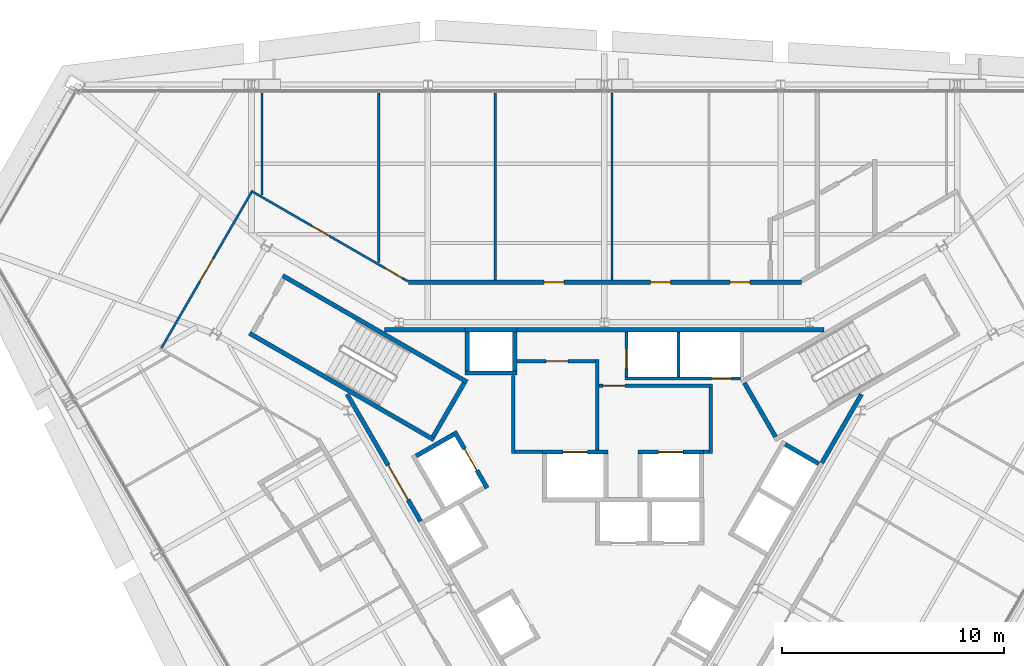
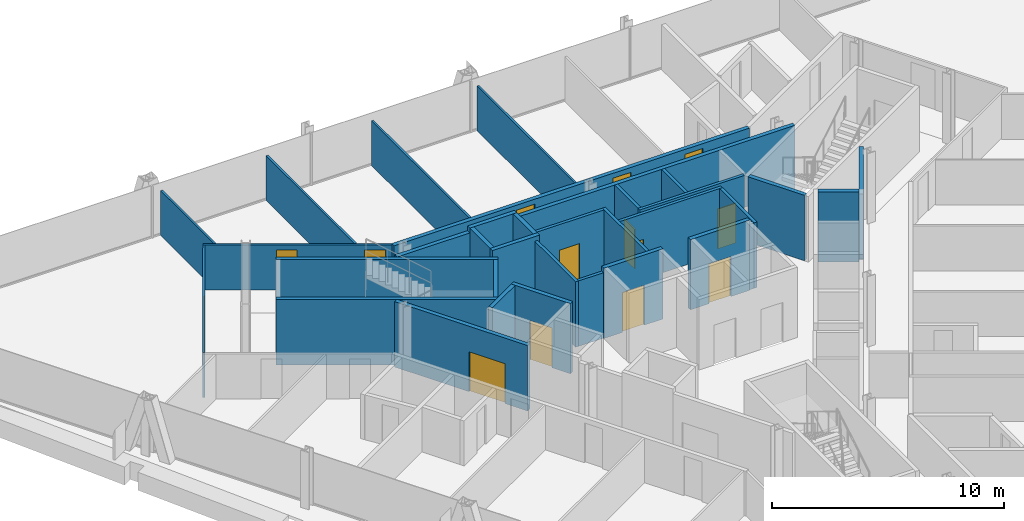
# One storey, part 11 of 14: 34 walls, 14 doors, 14 openings.
"""IFC4 building model written with IfcOpenShell, lengths in metres."""

import ifcopenshell
import ifcopenshell.guid

model = None  # the IFC model being written
_history = None  # IfcOwnerHistory: only IFC2X3 demands one
_inside = {}  # id of a spatial element -> (the spatial element, [elements in it])
_under = {}  # id of a project, library or spatial element -> (it, [spatial elements below it])
_declared = {}  # id of a project -> (the project, [libraries it declares])
_typed = {}  # id of a type object -> (the type object, [elements of that type])
_made_of = {}  # id of a material, layer set ... -> (it, [elements and type objects made of it])


def new_model(schema):
    """Start an empty IFC model of exactly this schema.

    Asked for "IFC4X3", IfcOpenShell would pick the latest addendum, in which some entities
    have other attributes; the version numbers below select the first issue.
    IFC2X3 requires an IfcOwnerHistory on every rooted entity: one is made here for all.
    """
    global model, _history
    if schema == "IFC4X3":
        model = ifcopenshell.file(schema_version=(4, 3, 0, 0))
    else:
        model = ifcopenshell.file(schema=schema)
    _inside.clear()
    _under.clear()
    _declared.clear()
    _typed.clear()
    _made_of.clear()
    _history = None
    if model.schema == "IFC2X3":
        org = make("IfcOrganization", Name="unknown")
        user = make(
            "IfcPersonAndOrganization",
            ThePerson=make("IfcPerson", FamilyName="unknown"),
            TheOrganization=org,
        )
        app = make(
            "IfcApplication",
            ApplicationDeveloper=org,
            Version="unknown",
            ApplicationFullName="unknown",
            ApplicationIdentifier="unknown",
        )
        _history = make(
            "IfcOwnerHistory",
            OwningUser=user,
            OwningApplication=app,
            ChangeAction="ADDED",
            CreationDate=0,
        )
    return model


def make(cls, **values):
    """One entity of the class cls with the attributes given. An attribute that is None is left unset."""
    return model.create_entity(
        cls, **{name: value for name, value in values.items() if value is not None}
    )


def rooted(cls, **values):
    """An entity with a GlobalId (a new one), such as an element, a storey or a relation."""
    return make(cls, GlobalId=ifcopenshell.guid.new(), OwnerHistory=_history, **values)


def si_unit(unit_type, name, prefix=None):
    """IfcSIUnit, for example si_unit("LENGTHUNIT", "METRE", prefix="MILLI")."""
    return make("IfcSIUnit", UnitType=unit_type, Prefix=prefix, Name=name)


def assignment(units):
    """IfcUnitAssignment: the units of a project."""
    return None if units is None else make("IfcUnitAssignment", Units=units)


def point(xyz):
    """IfcCartesianPoint."""
    return None if xyz is None else make("IfcCartesianPoint", Coordinates=xyz)


def direction(xyz):
    """IfcDirection."""
    return None if xyz is None else make("IfcDirection", DirectionRatios=xyz)


def frame(location, z_axis=None, x_axis=None):
    """IfcAxis2Placement3D, a coordinate frame: its origin and axes. An axis left out is left unset."""
    return make(
        "IfcAxis2Placement3D",
        Location=point(location),
        Axis=direction(z_axis),
        RefDirection=direction(x_axis),
    )


def frame_2d(location, x_axis=None):
    """IfcAxis2Placement2D, a coordinate frame in the plane: its origin and x axis."""
    return make(
        "IfcAxis2Placement2D", Location=point(location), RefDirection=direction(x_axis)
    )


def origin():
    """The frame at (0, 0, 0) with its axes left unset."""
    return frame((0.0, 0.0, 0.0))


def place(relative_to, where):
    """IfcLocalPlacement: puts the frame where relative to a parent placement (None: the world)."""
    return make(
        "IfcLocalPlacement", PlacementRelTo=relative_to, RelativePlacement=where
    )


def context(
    kind, dimensions, precision=None, world=None, true_north=None, identifier=None
):
    """IfcGeometricRepresentationContext, for example the 3D "Model" context."""
    return make(
        "IfcGeometricRepresentationContext",
        ContextIdentifier=identifier,
        ContextType=kind,
        CoordinateSpaceDimension=dimensions,
        Precision=precision,
        WorldCoordinateSystem=world,
        TrueNorth=true_north,
    )


def subcontext(parent, identifier, kind, view, scale=None):
    """IfcGeometricRepresentationSubContext, for example "Body" below "Model"."""
    return make(
        "IfcGeometricRepresentationSubContext",
        ContextIdentifier=identifier,
        ContextType=kind,
        ParentContext=parent,
        TargetScale=scale,
        TargetView=view,
    )


def project(units=None, contexts=None):
    """IfcProject with its units and contexts."""
    return rooted(
        "IfcProject",
        Name="project",
        RepresentationContexts=contexts,
        UnitsInContext=assignment(units),
    )


def spatial(cls, under=None, at=None, **own):
    """A site, building, storey or space (cls), placed at a placement, below another one or the project."""
    s = rooted(cls, ObjectPlacement=at, **own)
    if under is not None:
        _under.setdefault(under.id(), (under, []))[1].append(s)
    return s


def profile(cls, at=None, kind="AREA", **sizes):
    """A parametric profile (cls). Its sizes go by their IFC names, for example OverallWidth=200.0."""
    return make(cls, ProfileType=kind, Position=at, **sizes)


def rectangle(**sizes):
    """IfcRectangleProfileDef."""
    return profile("IfcRectangleProfileDef", **sizes)


def extrude(swept, where, along, depth):
    """IfcExtrudedAreaSolid: the profile swept, set in the frame where, extruded along a direction by depth."""
    return make(
        "IfcExtrudedAreaSolid",
        SweptArea=swept,
        Position=where,
        ExtrudedDirection=direction(along),
        Depth=depth,
    )


def shape(context_of_items, identifier, shape_type, items):
    """IfcShapeRepresentation: the items that make up one representation, for example the "Body"."""
    return make(
        "IfcShapeRepresentation",
        ContextOfItems=context_of_items,
        RepresentationIdentifier=identifier,
        RepresentationType=shape_type,
        Items=items,
    )


def material(Name=None, Category=None):
    """IfcMaterial."""
    return make("IfcMaterial", Name=Name, Category=Category)


def layer(
    of_material, thickness, ventilated=None, Name=None, Category=None, Priority=None
):
    """IfcMaterialLayer: one layer of a wall or slab, of a material (None: an air gap)."""
    return make(
        "IfcMaterialLayer",
        Material=of_material,
        LayerThickness=thickness,
        IsVentilated=ventilated,
        Name=Name,
        Category=Category,
        Priority=Priority,
    )


def layer_set(layers, Name=None):
    """IfcMaterialLayerSet."""
    return make("IfcMaterialLayerSet", MaterialLayers=layers, LayerSetName=Name)


def made_of(thing, what):
    """Note that an element or type object is made of a material, layer set ...; save() writes the relation."""
    if what is not None:
        _made_of.setdefault(what.id(), (what, []))[1].append(thing)
    return thing


def type_object(cls, material=None, **own):
    """A type object (cls), such as IfcWallType, which elements share."""
    return made_of(rooted(cls, **own), material)


def element(
    cls,
    number,
    at=None,
    inside=None,
    cuts=None,
    type_object=None,
    material=None,
    context=None,
    identifier="Body",
    shape_type=None,
    held_by="IfcProductDefinitionShape",
    body=None,
    shapes=None,
    **own,
):
    """One element of the class cls, such as IfcWall. Its Tag is "e" and its number.

    at: its placement. inside: the storey or other place that contains it. cuts: it is an
    opening in that element (IfcRelVoidsElement). A single representation is given by context,
    identifier, shape_type and body (its items); several are given by shapes. held_by: the class
    of the entity that holds the representations. save() writes the other relations.
    """
    e = rooted(cls, Tag="e%d" % number, ObjectPlacement=at, **own)
    if body is not None:
        shapes = [shape(context, identifier, shape_type, body)]
    if shapes is not None:
        e.Representation = make(held_by, Representations=shapes)
    if inside is not None:
        _inside.setdefault(inside.id(), (inside, []))[1].append(e)
    if cuts is not None:
        rooted(
            "IfcRelVoidsElement", RelatingBuildingElement=cuts, RelatedOpeningElement=e
        )
    if type_object is not None:
        _typed.setdefault(type_object.id(), (type_object, []))[1].append(e)
    return made_of(e, material)


def fill(opening, filler):
    """IfcRelFillsElement: the door or window that sits in an opening."""
    return rooted(
        "IfcRelFillsElement",
        RelatingOpeningElement=opening,
        RelatedBuildingElement=filler,
    )


def aggregate(whole, parts):
    """IfcRelAggregates: a whole, such as a stair, and the parts it consists of."""
    return rooted("IfcRelAggregates", RelatingObject=whole, RelatedObjects=parts)


def save(model, path):
    """Write the relations noted so far, then the file.

    IfcRelAggregates (storeys below a building ...), IfcRelContainedInSpatialStructure (elements
    in a storey), IfcRelDefinesByType, IfcRelAssociatesMaterial and IfcRelDeclares: one each for
    every whole, place, type object, material and project.
    """
    for whole, parts in _under.values():
        aggregate(whole, parts)
    for where, things in _inside.values():
        rooted(
            "IfcRelContainedInSpatialStructure",
            RelatedElements=things,
            RelatingStructure=where,
        )
    for kind, things in _typed.values():
        rooted("IfcRelDefinesByType", RelatedObjects=things, RelatingType=kind)
    for what, things in _made_of.values():
        rooted("IfcRelAssociatesMaterial", RelatedObjects=things, RelatingMaterial=what)
    for by, libraries in _declared.values():
        rooted("IfcRelDeclares", RelatingContext=by, RelatedDefinitions=libraries)
    model.write(path)


model = new_model("IFC4")

# Units and contexts
model_context = context("Model", 3, precision=1e-05, world=origin(), true_north=direction((0.0, 1.0)))
body_context = subcontext(model_context, "Body", "Model", "MODEL_VIEW")
ifc_project = project(units=[si_unit("LENGTHUNIT", "METRE"), si_unit("AREAUNIT", "SQUARE_METRE"), si_unit("VOLUMEUNIT", "CUBIC_METRE"), si_unit("PLANEANGLEUNIT", "RADIAN"), si_unit("MASSUNIT", "GRAM", prefix="KILO")], contexts=[model_context])

# Site, building, storey
site_placement = place(None, origin())
site = spatial("IfcSite", under=ifc_project, at=site_placement, CompositionType="ELEMENT")
building_placement = place(site_placement, origin())
building = spatial("IfcBuilding", under=site, at=building_placement, Name="Verrane Prism Tower", CompositionType="ELEMENT")
storey_placement = place(building_placement, frame((0.0, 0.0, 196.89990234375)))
storey = spatial("IfcBuildingStorey", under=building, at=storey_placement, Name="L49", CompositionType="ELEMENT", Elevation=196.89990234375)

# Wall, opening, door
ifc_material_1 = material(Name="Gypsum board partition", Category="other")
ifc_layer_1 = layer(ifc_material_1, 0.199951171875)
ifc_layer_set_1 = layer_set([ifc_layer_1], Name="CW-200 core boundary wall 2 h")
wall_type_1 = type_object("IfcWallType", Name="CW-200 core boundary wall 2 h", PredefinedType="PARTITIONING", material=ifc_layer_set_1)
wall_1_placement = place(storey_placement, frame((-11.590576171875, 4.7548828125, 0.0), z_axis=(0.0, 0.0, 1.0), x_axis=(0.500043977787, -0.866000011708, 0.0)))
wall_1 = element("IfcWall", 1, at=wall_1_placement, inside=storey, type_object=wall_type_1, Name="Core boundary wall CW3-001", PredefinedType="PARTITIONING", context=body_context, shape_type="SweptSolid", body=[
    extrude(rectangle(XDim=6.61669921875, YDim=0.199951171875, at=frame_2d((3.308349609375, 0.0))), origin(), (0.0, 0.0, 1.0), 3.4501953125),
])
opening_1_placement = place(wall_1_placement, frame((3.695068359375, 0.0, 0.0)))
opening_1 = element("IfcOpeningElement", 2, at=opening_1_placement, cuts=wall_1, Name="Opening D47510", PredefinedType="OPENING", context=body_context, shape_type="SweptSolid", body=[
    extrude(rectangle(XDim=1.800048828125, YDim=2.10009765625, at=frame_2d((0.89990234375, 1.050048828125))), frame((0.0, 0.10986328125, 0.0), z_axis=(0.0, -1.0, 0.0), x_axis=(1.0, 0.0, 0.0)), (0.0, 0.0, 1.0), 0.219970703125),
])
ifc_material_2 = material(Name="Timber veneered door leaf", Category="wood")
door_type_1 = type_object("IfcDoorType", Name="DR-1800x2100 FD60 double leaf lift lobby", OperationType="NOTDEFINED", PredefinedType="DOOR", material=ifc_material_2)
door_1_placement = place(opening_1_placement, origin())
door_1 = element("IfcDoor", 3, at=door_1_placement, inside=storey, type_object=door_type_1, Name="Lift lobby door D47510", OperationType="DOUBLE_DOOR_SINGLE_SWING", OverallHeight=2.10009765625, OverallWidth=1.800048828125, PredefinedType="DOOR", context=body_context, shape_type="SweptSolid", body=[
    extrude(rectangle(XDim=1.800048828125, YDim=2.10009765625, at=frame_2d((0.89990234375, 1.050048828125))), frame((0.0, 0.02490234375, 0.0), z_axis=(0.0, -1.0, 0.0), x_axis=(1.0, 0.0, 0.0)), (0.0, 0.0, 1.0), 0.050048828125),
])
fill(opening_1, door_1)

# Walls
wall_2_placement = place(storey_placement, frame((-9.907958984375, 7.659912109375, 0.0), z_axis=(0.0, 0.0, 1.0), x_axis=(1.0, 0.0, 0.0)))
element("IfcWall", 4, at=wall_2_placement, inside=storey, type_object=wall_type_1, Name="Core boundary wall CW3-002", PredefinedType="PARTITIONING", context=body_context, shape_type="SweptSolid", body=[
    extrude(rectangle(XDim=3.620849609375, YDim=0.199951171875, at=frame_2d((1.810546875, 0.0))), origin(), (0.0, 0.0, 1.0), 3.4501953125),
])
wall_3_placement = place(storey_placement, frame((-3.93310546875, 7.659912109375, 0.0), z_axis=(0.0, 0.0, 1.0), x_axis=(1.0, 0.0, 0.0)))
element("IfcWall", 5, at=wall_3_placement, inside=storey, type_object=wall_type_1, Name="Core boundary wall CW3-005", PredefinedType="PARTITIONING", context=body_context, shape_type="SweptSolid", body=[
    extrude(rectangle(XDim=13.841064453125, YDim=0.199951171875, at=frame_2d((6.92041015625, 0.0))), origin(), (0.0, 0.0, 1.0), 3.4501953125),
])
wall_4_placement = place(storey_placement, frame((9.802978515625, 1.657958984375, 0.0), z_axis=(0.0, 0.0, 1.0), x_axis=(0.499943114462, 0.866058244174, 0.0)))
element("IfcWall", 6, at=wall_4_placement, inside=storey, type_object=wall_type_1, Name="Core boundary wall CW3-008", PredefinedType="PARTITIONING", context=body_context, shape_type="SweptSolid", body=[
    extrude(rectangle(XDim=3.57568359375, YDim=0.199951171875, at=frame_2d((1.787841796875, 0.0))), origin(), (0.0, 0.0, 1.0), 3.4501953125),
])
ifc_material_3 = material(Name="Concrete C40/50", Category="concrete")
ifc_layer_2 = layer(ifc_material_3, 0.199951171875)
ifc_layer_set_2 = layer_set([ifc_layer_2], Name="CW-200 stair core wall concrete C40/50 3 h")
wall_type_2 = type_object("IfcWallType", Name="CW-200 stair core wall concrete C40/50 3 h", PredefinedType="PARTITIONING", material=ifc_layer_set_2)
wall_5_placement = place(storey_placement, frame((7.71484375, 2.837646484375, 0.0), z_axis=(0.0, 0.0, 1.0), x_axis=(-0.500049511043, 0.865996816683, 0.0)))
element("IfcWall", 7, at=wall_5_placement, inside=storey, type_object=wall_type_2, Name="Stair 1 enclosure wall", PredefinedType="PARTITIONING", context=body_context, shape_type="SweptSolid", body=[
    extrude(rectangle(XDim=2.800048828125, YDim=0.199951171875, at=frame_2d((1.39990234375, 0.0))), origin(), (0.0, 0.0, 1.0), 3.4501953125),
])
for number, where, z_axis, x_axis, name in (
    (8, (-7.67822265625, 2.700927734375, 0.0), (0.0, 0.0, 1.0), (-0.866019993635, 0.500009370536, 0.0), "Stair 2 enclosure wall"),
    (9, (-6.17822265625, 5.299072265625, 0.0), (0.0, 0.0, 1.0), (-0.866019993635, 0.500009370536, 0.0), "Stair 2 enclosure wall"),
):
    element("IfcWall", number, at=place(storey_placement, frame(where, z_axis=z_axis, x_axis=x_axis)), inside=storey, type_object=wall_type_2, Name=name, PredefinedType="PARTITIONING", context=body_context, shape_type="SweptSolid", body=[
        extrude(rectangle(XDim=9.599853515625, YDim=0.199951171875, at=frame_2d((4.7998046875, 0.0))), origin(), (0.0, 0.0, 1.0), 3.4501953125),
    ])
wall_6_placement = place(storey_placement, frame((-6.314697265625, 5.262451171875, 0.0), z_axis=(0.0, 0.0, 1.0), x_axis=(-0.500049511043, -0.865996816683, 0.0)))
element("IfcWall", 10, at=wall_6_placement, inside=storey, type_object=wall_type_2, Name="Stair 2 enclosure wall", PredefinedType="PARTITIONING", context=body_context, shape_type="SweptSolid", body=[
    extrude(rectangle(XDim=2.800048828125, YDim=0.199951171875, at=frame_2d((1.39990234375, 0.0))), origin(), (0.0, 0.0, 1.0), 3.4501953125),
])

# Wall, opening, door
ifc_material_4 = material(Name="Gypsum board shaft wall assembly", Category="other")
ifc_layer_3 = layer(ifc_material_4, 0.199951171875)
ifc_layer_set_3 = layer_set([ifc_layer_3], Name="HW-200 lift shaft wall 2 h")
wall_type_3 = type_object("IfcWallType", Name="HW-200 lift shaft wall 2 h", PredefinedType="PARTITIONING", material=ifc_layer_set_3)
wall_7_placement = place(storey_placement, frame((-2.784912109375, 2.14990234375, 0.0), z_axis=(0.0, 0.0, 1.0), x_axis=(1.0, 0.0, 0.0)))
wall_7 = element("IfcWall", 11, at=wall_7_placement, inside=storey, type_object=wall_type_3, Name="Lift shaft wall", PredefinedType="PARTITIONING", context=body_context, shape_type="SweptSolid", body=[
    extrude(rectangle(XDim=2.949951171875, YDim=0.199951171875, at=frame_2d((1.47509765625, 0.0))), origin(), (0.0, 0.0, 1.0), 3.7001953125),
])
opening_2_placement = place(wall_7_placement, frame((0.925048828125, 0.0, 0.0)))
opening_2 = element("IfcOpeningElement", 12, at=opening_2_placement, cuts=wall_7, Name="Opening D47507", PredefinedType="OPENING", context=body_context, shape_type="SweptSolid", body=[
    extrude(rectangle(XDim=1.10009765625, YDim=2.10009765625, at=frame_2d((0.550048828125, 1.050048828125))), frame((0.0, 0.10986328125, 0.0), z_axis=(0.0, -1.0, 0.0), x_axis=(1.0, 0.0, 0.0)), (0.0, 0.0, 1.0), 0.219970703125),
])
ifc_material_5 = material(Name="Stainless steel sliding landing door", Category="steel")
door_type_2 = type_object("IfcDoorType", Name="LD-1100x2100 lift landing door FD90 sliding", OperationType="NOTDEFINED", PredefinedType="DOOR", material=ifc_material_5)
door_2_placement = place(opening_2_placement, origin())
door_2 = element("IfcDoor", 13, at=door_2_placement, inside=storey, type_object=door_type_2, Name="Fire service lift 1 landing door", OperationType="SLIDING_TO_LEFT", OverallHeight=2.10009765625, OverallWidth=1.10009765625, PredefinedType="DOOR", context=body_context, shape_type="SweptSolid", body=[
    extrude(rectangle(XDim=1.10009765625, YDim=2.10009765625, at=frame_2d((0.550048828125, 1.050048828125))), frame((0.0, 0.02490234375, 0.0), z_axis=(0.0, -1.0, 0.0), x_axis=(1.0, 0.0, 0.0)), (0.0, 0.0, 1.0), 0.050048828125),
])
fill(opening_2, door_2)

wall_8_placement = place(storey_placement, frame((1.52490234375, 2.14990234375, 0.0), z_axis=(0.0, 0.0, 1.0), x_axis=(1.0, 0.0, 0.0)))
wall_8 = element("IfcWall", 14, at=wall_8_placement, inside=storey, type_object=wall_type_3, Name="Lift shaft wall", PredefinedType="PARTITIONING", context=body_context, shape_type="SweptSolid", body=[
    extrude(rectangle(XDim=2.9501953125, YDim=0.199951171875, at=frame_2d((1.47509765625, 0.0))), origin(), (0.0, 0.0, 1.0), 3.7001953125),
])
opening_3_placement = place(wall_8_placement, frame((0.925048828125, 0.0, 0.0)))
opening_3 = element("IfcOpeningElement", 15, at=opening_3_placement, cuts=wall_8, Name="Opening D47508", PredefinedType="OPENING", context=body_context, shape_type="SweptSolid", body=[
    extrude(rectangle(XDim=1.10009765625, YDim=2.10009765625, at=frame_2d((0.550048828125, 1.050048828125))), frame((0.0, 0.10986328125, 0.0), z_axis=(0.0, -1.0, 0.0), x_axis=(1.0, 0.0, 0.0)), (0.0, 0.0, 1.0), 0.219970703125),
])
door_3_placement = place(opening_3_placement, origin())
door_3 = element("IfcDoor", 16, at=door_3_placement, inside=storey, type_object=door_type_2, Name="Fire service lift 2 landing door", OperationType="SLIDING_TO_RIGHT", OverallHeight=2.10009765625, OverallWidth=1.10009765625, PredefinedType="DOOR", context=body_context, shape_type="SweptSolid", body=[
    extrude(rectangle(XDim=1.10009765625, YDim=2.10009765625, at=frame_2d((0.550048828125, 1.050048828125))), frame((0.0, 0.02490234375, 0.0), z_axis=(0.0, -1.0, 0.0), x_axis=(1.0, 0.0, 0.0)), (0.0, 0.0, 1.0), 0.050048828125),
])
fill(opening_3, door_3)

# Walls
for number, where, z_axis, x_axis, name in (
    (17, (-6.284912109375, 5.7099609375, 0.0), (0.0, 0.0, 1.0), (1.0, 0.0, 0.0), "Lift shaft wall"),
    (18, (-6.284912109375, 7.659912109375, 0.0), (0.0, 0.0, 1.0), (1.0, 0.0, 0.0), "Lift shaft wall"),
):
    element("IfcWall", number, at=place(storey_placement, frame(where, z_axis=z_axis, x_axis=x_axis)), inside=storey, type_object=wall_type_3, Name=name, PredefinedType="PARTITIONING", context=body_context, shape_type="SweptSolid", body=[
        extrude(rectangle(XDim=2.349853515625, YDim=0.199951171875, at=frame_2d((1.1748046875, 0.0))), origin(), (0.0, 0.0, 1.0), 3.7001953125),
    ])
wall_9_placement = place(storey_placement, frame((-8.48046875, 1.968505859375, 0.0), z_axis=(0.0, 0.0, 1.0), x_axis=(0.866000020948, 0.500043961785, 0.0)))
element("IfcWall", 19, at=wall_9_placement, inside=storey, type_object=wall_type_3, Name="Lift shaft wall", PredefinedType="PARTITIONING", context=body_context, shape_type="SweptSolid", body=[
    extrude(rectangle(XDim=1.949951171875, YDim=0.199951171875, at=frame_2d((0.97509765625, 0.0))), origin(), (0.0, 0.0, 1.0), 3.7001953125),
])
for number, where, z_axis, x_axis, name in (
    (20, (-4.034912109375, 5.81005859375, 0.0), (0.0, 0.0, 1.0), (0.0, 1.0, 0.0), "Lift shaft wall"),
    (21, (-6.18505859375, 5.81005859375, 0.0), (0.0, 0.0, 1.0), (0.0, 1.0, 0.0), "Lift shaft wall"),
):
    element("IfcWall", number, at=place(storey_placement, frame(where, z_axis=z_axis, x_axis=x_axis)), inside=storey, type_object=wall_type_3, Name=name, PredefinedType="PARTITIONING", context=body_context, shape_type="SweptSolid", body=[
        extrude(rectangle(XDim=1.75, YDim=0.199951171875, at=frame_2d((0.875, 0.0))), origin(), (0.0, 0.0, 1.0), 3.7001953125),
    ])

# Wall, opening, door
wall_10_placement = place(storey_placement, frame((-5.280029296875, 0.525390625, 0.0), z_axis=(0.0, 0.0, 1.0), x_axis=(-0.500037662692, 0.866003658127, 0.0)))
wall_10 = element("IfcWall", 22, at=wall_10_placement, inside=storey, type_object=wall_type_3, Name="Lift shaft wall", PredefinedType="PARTITIONING", context=body_context, shape_type="SweptSolid", body=[
    extrude(rectangle(XDim=2.949951171875, YDim=0.199951171875, at=frame_2d((1.47509765625, 0.0))), origin(), (0.0, 0.0, 1.0), 3.7001953125),
])
opening_4_placement = place(wall_10_placement, frame((0.925048828125, 0.0, 0.0)))
opening_4 = element("IfcOpeningElement", 23, at=opening_4_placement, cuts=wall_10, Name="Opening D47509", PredefinedType="OPENING", context=body_context, shape_type="SweptSolid", body=[
    extrude(rectangle(XDim=1.10009765625, YDim=2.10009765625, at=frame_2d((0.550048828125, 1.050048828125))), frame((0.0, 0.10986328125, 0.0), z_axis=(0.0, -1.0, 0.0), x_axis=(1.0, 0.0, 0.0)), (0.0, 0.0, 1.0), 0.219970703125),
])
door_4_placement = place(opening_4_placement, origin())
door_4 = element("IfcDoor", 24, at=door_4_placement, inside=storey, type_object=door_type_2, Name="Service lift 1 landing door", OperationType="SLIDING_TO_LEFT", OverallHeight=2.10009765625, OverallWidth=1.10009765625, PredefinedType="DOOR", context=body_context, shape_type="SweptSolid", body=[
    extrude(rectangle(XDim=1.10009765625, YDim=2.10009765625, at=frame_2d((0.550048828125, 1.050048828125))), frame((0.0, 0.02490234375, 0.0), z_axis=(0.0, -1.0, 0.0), x_axis=(1.0, 0.0, 0.0)), (0.0, 0.0, 1.0), 0.050048828125),
])
fill(opening_4, door_4)

# Walls
wall_11_placement = place(storey_placement, frame((9.66455078125, 1.61962890625, 0.0), z_axis=(0.0, 0.0, 1.0), x_axis=(-0.866002029911, 0.500040482552, 0.0)))
element("IfcWall", 25, at=wall_11_placement, inside=storey, type_object=wall_type_3, Name="Lift shaft wall", PredefinedType="PARTITIONING", context=body_context, shape_type="SweptSolid", body=[
    extrude(rectangle(XDim=1.749755859375, YDim=0.199951171875, at=frame_2d((0.875, 0.0))), origin(), (0.0, 0.0, 1.0), 3.7001953125),
])
ifc_material_6 = material(Name="Gypsum board partition", Category="other")
ifc_layer_4 = layer(ifc_material_6, 0.14990234375)
ifc_layer_set_4 = layer_set([ifc_layer_4], Name="LF-150 firefighting lobby wall 1 h")
wall_type_4 = type_object("IfcWallType", Name="LF-150 firefighting lobby wall 1 h", PredefinedType="PARTITIONING", material=ifc_layer_set_4)
wall_12_placement = place(storey_placement, frame((-4.10009765625, 2.0849609375, 0.0), z_axis=(0.0, 0.0, 1.0), x_axis=(0.0, 1.0, 0.0)))
element("IfcWall", 26, at=wall_12_placement, inside=storey, type_object=wall_type_4, Name="Firefighting lobby wall LF1-001", PredefinedType="PARTITIONING", context=body_context, shape_type="SweptSolid", body=[
    extrude(rectangle(XDim=3.52294921875, YDim=0.14990234375, at=frame_2d((1.761474609375, 0.0))), origin(), (0.0, 0.0, 1.0), 3.4501953125),
])
wall_13_placement = place(storey_placement, frame((-4.02490234375, 2.159912109375, 0.0), z_axis=(0.0, 0.0, 1.0), x_axis=(1.0, 0.0, 0.0)))
element("IfcWall", 27, at=wall_13_placement, inside=storey, type_object=wall_type_4, Name="Firefighting lobby wall LF1-002", PredefinedType="PARTITIONING", context=body_context, shape_type="SweptSolid", body=[
    extrude(rectangle(XDim=1.23779296875, YDim=0.14990234375, at=frame_2d((0.618896484375, 0.0))), origin(), (0.0, 0.0, 1.0), 3.4501953125),
])

# Wall, opening, door
wall_14_placement = place(storey_placement, frame((-3.93310546875, 6.239990234375, 0.0), z_axis=(0.0, 0.0, 1.0), x_axis=(1.0, 0.0, 0.0)))
wall_14 = element("IfcWall", 28, at=wall_14_placement, inside=storey, type_object=wall_type_4, Name="Firefighting lobby wall LF1-003", PredefinedType="PARTITIONING", context=body_context, shape_type="SweptSolid", body=[
    extrude(rectangle(XDim=3.5380859375, YDim=0.14990234375, at=frame_2d((1.76904296875, 0.0))), origin(), (0.0, 0.0, 1.0), 3.4501953125),
])
opening_5_placement = place(wall_14_placement, frame((1.300048828125, 0.0, 0.0)))
opening_5 = element("IfcOpeningElement", 29, at=opening_5_placement, cuts=wall_14, Name="Opening D47512", PredefinedType="OPENING", context=body_context, shape_type="SweptSolid", body=[
    extrude(rectangle(XDim=1.0, YDim=2.10009765625, at=frame_2d((0.5, 1.050048828125))), frame((0.0, 0.0849609375, 0.0), z_axis=(0.0, -1.0, 0.0), x_axis=(1.0, 0.0, 0.0)), (0.0, 0.0, 1.0), 0.169921875),
])
ifc_material_7 = material(Name="Timber veneered door leaf", Category="wood")
door_type_3 = type_object("IfcDoorType", Name="DR-1000x2100 FD60 single leaf firefighting lobby", OperationType="NOTDEFINED", PredefinedType="DOOR", material=ifc_material_7)
door_5_placement = place(opening_5_placement, origin())
door_5 = element("IfcDoor", 30, at=door_5_placement, inside=storey, type_object=door_type_3, Name="Firefighting lobby door D47512", OperationType="SINGLE_SWING_LEFT", OverallHeight=2.10009765625, OverallWidth=1.0, PredefinedType="DOOR", context=body_context, shape_type="SweptSolid", body=[
    extrude(rectangle(XDim=1.0, YDim=2.10009765625, at=frame_2d((0.5, 1.050048828125))), frame((0.0, 0.02490234375, 0.0), z_axis=(0.0, -1.0, 0.0), x_axis=(1.0, 0.0, 0.0)), (0.0, 0.0, 1.0), 0.050048828125),
])
fill(opening_5, door_5)

# Wall
wall_15_placement = place(storey_placement, frame((-0.320068359375, 2.251953125, 0.0), z_axis=(0.0, 0.0, 1.0), x_axis=(0.0, 1.0, 0.0)))
element("IfcWall", 31, at=wall_15_placement, inside=storey, type_object=wall_type_4, Name="Firefighting lobby wall LF1-004", PredefinedType="PARTITIONING", context=body_context, shape_type="SweptSolid", body=[
    extrude(rectangle(XDim=4.06298828125, YDim=0.14990234375, at=frame_2d((2.031494140625, 0.0))), origin(), (0.0, 0.0, 1.0), 3.4501953125),
])

# Wall, opening, door
wall_16_placement = place(storey_placement, frame((-0.2451171875, 5.139892578125, 0.0), z_axis=(0.0, 0.0, 1.0), x_axis=(1.0, 0.0, 0.0)))
wall_16 = element("IfcWall", 32, at=wall_16_placement, inside=storey, type_object=wall_type_4, Name="Firefighting lobby wall LF1-005", PredefinedType="PARTITIONING", context=body_context, shape_type="SweptSolid", body=[
    extrude(rectangle(XDim=5.110107421875, YDim=0.14990234375, at=frame_2d((2.55517578125, 0.0))), origin(), (0.0, 0.0, 1.0), 3.4501953125),
])
opening_6_placement = place(wall_16_placement, frame((0.175048828125, 0.0, 0.0)))
opening_6 = element("IfcOpeningElement", 33, at=opening_6_placement, cuts=wall_16, Name="Opening D47513", PredefinedType="OPENING", context=body_context, shape_type="SweptSolid", body=[
    extrude(rectangle(XDim=1.0, YDim=2.10009765625, at=frame_2d((0.5, 1.050048828125))), frame((0.0, 0.0849609375, 0.0), z_axis=(0.0, -1.0, 0.0), x_axis=(1.0, 0.0, 0.0)), (0.0, 0.0, 1.0), 0.169921875),
])
door_6_placement = place(opening_6_placement, origin())
door_6 = element("IfcDoor", 34, at=door_6_placement, inside=storey, type_object=door_type_3, Name="Firefighting lobby door D47513", OperationType="SINGLE_SWING_LEFT", OverallHeight=2.10009765625, OverallWidth=1.0, PredefinedType="DOOR", context=body_context, shape_type="SweptSolid", body=[
    extrude(rectangle(XDim=1.0, YDim=2.10009765625, at=frame_2d((0.5, 1.050048828125))), frame((0.0, 0.02490234375, 0.0), z_axis=(0.0, -1.0, 0.0), x_axis=(1.0, 0.0, 0.0)), (0.0, 0.0, 1.0), 0.050048828125),
])
fill(opening_6, door_6)

# Walls
wall_17_placement = place(storey_placement, frame((4.47705078125, 2.159912109375, 0.0), z_axis=(0.0, 0.0, 1.0), x_axis=(1.0, 0.0, 0.0)))
element("IfcWall", 35, at=wall_17_placement, inside=storey, type_object=wall_type_4, Name="Firefighting lobby wall LF1-006", PredefinedType="PARTITIONING", context=body_context, shape_type="SweptSolid", body=[
    extrude(rectangle(XDim=0.238037109375, YDim=0.14990234375, at=frame_2d((0.119140625, 0.0))), origin(), (0.0, 0.0, 1.0), 3.4501953125),
])
wall_18_placement = place(storey_placement, frame((4.7900390625, 2.0849609375, 0.0), z_axis=(0.0, 0.0, 1.0), x_axis=(0.0, 1.0, 0.0)))
element("IfcWall", 36, at=wall_18_placement, inside=storey, type_object=wall_type_4, Name="Firefighting lobby wall LF1-007", PredefinedType="PARTITIONING", context=body_context, shape_type="SweptSolid", body=[
    extrude(rectangle(XDim=2.97998046875, YDim=0.14990234375, at=frame_2d((1.489990234375, 0.0))), origin(), (0.0, 0.0, 1.0), 3.4501953125),
])

# Wall, opening, door
ifc_material_8 = material(Name="Gypsum board partition", Category="other")
ifc_layer_5 = layer(ifc_material_8, 0.10009765625)
ifc_layer_set_5 = layer_set([ifc_layer_5], Name="PW-100 room partition")
wall_type_5 = type_object("IfcWallType", Name="PW-100 room partition", PredefinedType="PARTITIONING", material=ifc_layer_set_5)
wall_19_placement = place(storey_placement, frame((-19.955078125, 6.84423828125, 0.0), z_axis=(0.0, 0.0, 1.0), x_axis=(0.500415732313, 0.865785247537, 0.0)))
wall_19 = element("IfcWall", 37, at=wall_19_placement, inside=storey, type_object=wall_type_5, Name="Room partition 003", PredefinedType="PARTITIONING", context=body_context, shape_type="SweptSolid", body=[
    extrude(rectangle(XDim=8.09716796875, YDim=0.10009765625, at=frame_2d((4.048583984375, 0.0))), origin(), (0.0, 0.0, 1.0), 2.362060546875),
])
opening_7_placement = place(wall_19_placement, frame((3.449951171875, 0.0, 0.0)))
opening_7 = element("IfcOpeningElement", 38, at=opening_7_placement, cuts=wall_19, Name="Opening D47018", PredefinedType="OPENING", context=body_context, shape_type="SweptSolid", body=[
    extrude(rectangle(XDim=1.199951171875, YDim=2.10009765625, at=frame_2d((0.60009765625, 1.050048828125))), frame((0.0, 0.06005859375, 0.0), z_axis=(0.0, -1.0, 0.0), x_axis=(1.0, 0.0, 0.0)), (0.0, 0.0, 1.0), 0.1201171875),
])
ifc_material_9 = material(Name="Timber veneered door leaf", Category="wood")
door_type_4 = type_object("IfcDoorType", Name="DR-1200x2100 single leaf unit", OperationType="NOTDEFINED", PredefinedType="DOOR", material=ifc_material_9)
door_7_placement = place(opening_7_placement, origin())
door_7 = element("IfcDoor", 39, at=door_7_placement, inside=storey, type_object=door_type_4, Name="Living And Dining Room door", OperationType="SINGLE_SWING_RIGHT", OverallHeight=2.10009765625, OverallWidth=1.199951171875, PredefinedType="DOOR", context=body_context, shape_type="SweptSolid", body=[
    extrude(rectangle(XDim=1.199951171875, YDim=2.10009765625, at=frame_2d((0.60009765625, 1.050048828125))), frame((0.0, 0.02490234375, 0.0), z_axis=(0.0, -1.0, 0.0), x_axis=(1.0, 0.0, 0.0)), (0.0, 0.0, 1.0), 0.050048828125),
])
fill(opening_7, door_7)

# Wall, openings, doors
wall_20_placement = place(storey_placement, frame((-15.92138671875, 13.923095703125, 0.0), z_axis=(0.0, 0.0, 1.0), x_axis=(0.866088973199, -0.499889878377, 0.0)))
wall_20 = element("IfcWall", 40, at=wall_20_placement, inside=storey, type_object=wall_type_5, Name="Room partition 007", PredefinedType="PARTITIONING", context=body_context, shape_type="SweptSolid", body=[
    extrude(rectangle(XDim=8.162841796875, YDim=0.10009765625, at=frame_2d((4.08154296875, 0.0))), origin(), (0.0, 0.0, 1.0), 2.362060546875),
])
opening_8_placement = place(wall_20_placement, frame((6.989990234375, 0.0, 0.0)))
opening_8 = element("IfcOpeningElement", 41, at=opening_8_placement, cuts=wall_20, Name="Opening D47016", PredefinedType="OPENING", context=body_context, shape_type="SweptSolid", body=[
    extrude(rectangle(XDim=0.89990234375, YDim=2.10009765625, at=frame_2d((0.449951171875, 1.050048828125))), frame((0.0, 0.06005859375, 0.0), z_axis=(0.0, -1.0, 0.0), x_axis=(1.0, 0.0, 0.0)), (0.0, 0.0, 1.0), 0.1201171875),
])
opening_9_placement = place(wall_20_placement, frame((3.172119140625, 0.0, 0.0)))
opening_9 = element("IfcOpeningElement", 42, at=opening_9_placement, cuts=wall_20, Name="Opening D47017", PredefinedType="OPENING", context=body_context, shape_type="SweptSolid", body=[
    extrude(rectangle(XDim=0.89990234375, YDim=2.10009765625, at=frame_2d((0.449951171875, 1.050048828125))), frame((0.0, 0.06005859375, 0.0), z_axis=(0.0, -1.0, 0.0), x_axis=(1.0, 0.0, 0.0)), (0.0, 0.0, 1.0), 0.1201171875),
])
ifc_material_10 = material(Name="Timber veneered door leaf", Category="wood")
door_type_5 = type_object("IfcDoorType", Name="DR-900x2100 single leaf unit", OperationType="NOTDEFINED", PredefinedType="DOOR", material=ifc_material_10)
door_8_placement = place(opening_8_placement, origin())
door_8 = element("IfcDoor", 43, at=door_8_placement, inside=storey, type_object=door_type_5, Name="Study door", OperationType="SINGLE_SWING_RIGHT", OverallHeight=2.10009765625, OverallWidth=0.89990234375, PredefinedType="DOOR", context=body_context, shape_type="SweptSolid", body=[
    extrude(rectangle(XDim=0.89990234375, YDim=2.10009765625, at=frame_2d((0.449951171875, 1.050048828125))), frame((0.0, 0.02490234375, 0.0), z_axis=(0.0, -1.0, 0.0), x_axis=(1.0, 0.0, 0.0)), (0.0, 0.0, 1.0), 0.050048828125),
])
fill(opening_8, door_8)
door_9_placement = place(opening_9_placement, origin())
door_9 = element("IfcDoor", 44, at=door_9_placement, inside=storey, type_object=door_type_5, Name="Study door", OperationType="SINGLE_SWING_LEFT", OverallHeight=2.10009765625, OverallWidth=0.89990234375, PredefinedType="DOOR", context=body_context, shape_type="SweptSolid", body=[
    extrude(rectangle(XDim=0.89990234375, YDim=2.10009765625, at=frame_2d((0.449951171875, 1.050048828125))), frame((0.0, 0.02490234375, 0.0), z_axis=(0.0, -1.0, 0.0), x_axis=(1.0, 0.0, 0.0)), (0.0, 0.0, 1.0), 0.050048828125),
])
fill(opening_9, door_9)

# Walls
wall_21_placement = place(storey_placement, frame((-15.426025390625, 13.7236328125, 0.0), z_axis=(0.0, 0.0, 1.0), x_axis=(0.0, 1.0, 0.0)))
element("IfcWall", 45, at=wall_21_placement, inside=storey, type_object=wall_type_5, Name="Room partition 010", PredefinedType="PARTITIONING", context=body_context, shape_type="SweptSolid", body=[
    extrude(rectangle(XDim=4.611328125, YDim=0.10009765625, at=frame_2d((2.3056640625, 0.0))), origin(), (0.0, 0.0, 1.0), 2.362060546875),
])
wall_22_placement = place(storey_placement, frame((-10.169921875, 10.690673828125, 0.0), z_axis=(0.0, 0.0, 1.0), x_axis=(0.0, 1.0, 0.0)))
element("IfcWall", 46, at=wall_22_placement, inside=storey, type_object=wall_type_5, Name="Room partition 016", PredefinedType="PARTITIONING", context=body_context, shape_type="SweptSolid", body=[
    extrude(rectangle(XDim=7.644287109375, YDim=0.10009765625, at=frame_2d((3.822265625, 0.0))), origin(), (0.0, 0.0, 1.0), 2.362060546875),
])
for number, where, z_axis, x_axis, name in (
    (47, (-4.9150390625, 9.89990234375, 0.0), (0.0, 0.0, 1.0), (0.0, 1.0, 0.0), "Room partition 020"),
    (48, (0.341064453125, 9.89990234375, 0.0), (0.0, 0.0, 1.0), (0.0, 1.0, 0.0), "Room partition 026"),
):
    element("IfcWall", number, at=place(storey_placement, frame(where, z_axis=z_axis, x_axis=x_axis)), inside=storey, type_object=wall_type_5, Name=name, PredefinedType="PARTITIONING", context=body_context, shape_type="SweptSolid", body=[
        extrude(rectangle(XDim=8.43505859375, YDim=0.10009765625, at=frame_2d((4.217529296875, 0.0))), origin(), (0.0, 0.0, 1.0), 2.362060546875),
    ])

# Wall, openings, doors
ifc_material_11 = material(Name="Gypsum board partition", Category="other")
ifc_layer_6 = layer(ifc_material_11, 0.199951171875)
ifc_layer_set_6 = layer_set([ifc_layer_6], Name="PW-200 plumbing wall")
wall_type_6 = type_object("IfcWallType", Name="PW-200 plumbing wall", PredefinedType="PARTITIONING", material=ifc_layer_set_6)
wall_23_placement = place(storey_placement, frame((-8.827880859375, 9.800048828125, 0.0), z_axis=(0.0, 0.0, 1.0), x_axis=(1.0, 0.0, 0.0)))
wall_23 = element("IfcWall", 49, at=wall_23_placement, inside=storey, type_object=wall_type_6, Name="Plumbing wall 018", PredefinedType="PARTITIONING", context=body_context, shape_type="SweptSolid", body=[
    extrude(rectangle(XDim=17.705810546875, YDim=0.199951171875, at=frame_2d((8.85302734375, 0.0))), origin(), (0.0, 0.0, 1.0), 2.362060546875),
])
opening_10_placement = place(wall_23_placement, frame((14.498046875, 0.0, 0.0)))
opening_10 = element("IfcOpeningElement", 50, at=opening_10_placement, cuts=wall_23, Name="Opening D47012", PredefinedType="OPENING", context=body_context, shape_type="SweptSolid", body=[
    extrude(rectangle(XDim=0.89990234375, YDim=2.10009765625, at=frame_2d((0.449951171875, 1.050048828125))), frame((0.0, 0.10986328125, 0.0), z_axis=(0.0, -1.0, 0.0), x_axis=(1.0, 0.0, 0.0)), (0.0, 0.0, 1.0), 0.219970703125),
])
opening_11_placement = place(wall_23_placement, frame((10.9189453125, 0.0, 0.0)))
opening_11 = element("IfcOpeningElement", 51, at=opening_11_placement, cuts=wall_23, Name="Opening D47014", PredefinedType="OPENING", context=body_context, shape_type="SweptSolid", body=[
    extrude(rectangle(XDim=0.89990234375, YDim=2.10009765625, at=frame_2d((0.449951171875, 1.050048828125))), frame((0.0, 0.10986328125, 0.0), z_axis=(0.0, -1.0, 0.0), x_axis=(1.0, 0.0, 0.0)), (0.0, 0.0, 1.0), 0.219970703125),
])
opening_12_placement = place(wall_23_placement, frame((6.113037109375, 0.0, 0.0)))
opening_12 = element("IfcOpeningElement", 52, at=opening_12_placement, cuts=wall_23, Name="Opening D47015", PredefinedType="OPENING", context=body_context, shape_type="SweptSolid", body=[
    extrude(rectangle(XDim=0.89990234375, YDim=2.10009765625, at=frame_2d((0.449951171875, 1.050048828125))), frame((0.0, 0.10986328125, 0.0), z_axis=(0.0, -1.0, 0.0), x_axis=(1.0, 0.0, 0.0)), (0.0, 0.0, 1.0), 0.219970703125),
])
ifc_material_12 = material(Name="Timber veneered door leaf", Category="wood")
door_type_6 = type_object("IfcDoorType", Name="DR-900x2100 single leaf inner", OperationType="NOTDEFINED", PredefinedType="DOOR", material=ifc_material_12)
door_10_placement = place(opening_10_placement, origin())
door_10 = element("IfcDoor", 53, at=door_10_placement, inside=storey, type_object=door_type_6, Name="Bedroom door", OperationType="SINGLE_SWING_RIGHT", OverallHeight=2.10009765625, OverallWidth=0.89990234375, PredefinedType="DOOR", context=body_context, shape_type="SweptSolid", body=[
    extrude(rectangle(XDim=0.89990234375, YDim=2.10009765625, at=frame_2d((0.449951171875, 1.050048828125))), frame((0.0, 0.02490234375, 0.0), z_axis=(0.0, -1.0, 0.0), x_axis=(1.0, 0.0, 0.0)), (0.0, 0.0, 1.0), 0.050048828125),
])
fill(opening_10, door_10)
door_11_placement = place(opening_11_placement, origin())
door_11 = element("IfcDoor", 54, at=door_11_placement, inside=storey, type_object=door_type_5, Name="Kitchen door", OperationType="SINGLE_SWING_RIGHT", OverallHeight=2.10009765625, OverallWidth=0.89990234375, PredefinedType="DOOR", context=body_context, shape_type="SweptSolid", body=[
    extrude(rectangle(XDim=0.89990234375, YDim=2.10009765625, at=frame_2d((0.449951171875, 1.050048828125))), frame((0.0, 0.02490234375, 0.0), z_axis=(0.0, -1.0, 0.0), x_axis=(1.0, 0.0, 0.0)), (0.0, 0.0, 1.0), 0.050048828125),
])
fill(opening_11, door_11)
door_12_placement = place(opening_12_placement, origin())
door_12 = element("IfcDoor", 55, at=door_12_placement, inside=storey, type_object=door_type_5, Name="Study door", OperationType="SINGLE_SWING_LEFT", OverallHeight=2.10009765625, OverallWidth=0.89990234375, PredefinedType="DOOR", context=body_context, shape_type="SweptSolid", body=[
    extrude(rectangle(XDim=0.89990234375, YDim=2.10009765625, at=frame_2d((0.449951171875, 1.050048828125))), frame((0.0, 0.02490234375, 0.0), z_axis=(0.0, -1.0, 0.0), x_axis=(1.0, 0.0, 0.0)), (0.0, 0.0, 1.0), 0.050048828125),
])
fill(opening_12, door_12)

# Wall, opening, door
ifc_material_13 = material(Name="Gypsum board partition", Category="other")
ifc_layer_7 = layer(ifc_material_13, 0.14990234375)
ifc_layer_set_7 = layer_set([ifc_layer_7], Name="RS-150 riser enclosure wall 1 h")
wall_type_7 = type_object("IfcWallType", Name="RS-150 riser enclosure wall 1 h", PredefinedType="PARTITIONING", material=ifc_layer_set_7)
wall_24_placement = place(storey_placement, frame((1.0, 7.56005859375, 0.0), z_axis=(0.0, 0.0, 1.0), x_axis=(0.0, -1.0, 0.0)))
wall_24 = element("IfcWall", 56, at=wall_24_placement, inside=storey, type_object=wall_type_7, Name="Riser wall RS3-001", PredefinedType="PARTITIONING", context=body_context, shape_type="SweptSolid", body=[
    extrude(rectangle(XDim=2.025146484375, YDim=0.14990234375, at=frame_2d((1.0126953125, 0.0))), origin(), (0.0, 0.0, 1.0), 3.4501953125),
])
opening_13_placement = place(wall_24_placement, frame((0.75, 0.0, 0.0)))
opening_13 = element("IfcOpeningElement", 57, at=opening_13_placement, cuts=wall_24, Name="Opening D47514", PredefinedType="OPENING", context=body_context, shape_type="SweptSolid", body=[
    extrude(rectangle(XDim=0.89990234375, YDim=2.10009765625, at=frame_2d((0.449951171875, 1.050048828125))), frame((0.0, 0.0849609375, 0.0), z_axis=(0.0, -1.0, 0.0), x_axis=(1.0, 0.0, 0.0)), (0.0, 0.0, 1.0), 0.169921875),
])
ifc_material_14 = material(Name="Timber veneered door leaf", Category="wood")
door_type_7 = type_object("IfcDoorType", Name="DR-900x2100 FD60 single leaf riser", OperationType="NOTDEFINED", PredefinedType="DOOR", material=ifc_material_14)
door_13_placement = place(opening_13_placement, origin())
door_13 = element("IfcDoor", 58, at=door_13_placement, inside=storey, type_object=door_type_7, Name="Riser door D47514", OperationType="SINGLE_SWING_RIGHT", OverallHeight=2.10009765625, OverallWidth=0.89990234375, PredefinedType="DOOR", context=body_context, shape_type="SweptSolid", body=[
    extrude(rectangle(XDim=0.89990234375, YDim=2.10009765625, at=frame_2d((0.449951171875, 1.050048828125))), frame((0.0, 0.02490234375, 0.0), z_axis=(0.0, -1.0, 0.0), x_axis=(1.0, 0.0, 0.0)), (0.0, 0.0, 1.0), 0.050048828125),
])
fill(opening_13, door_13)

wall_25_placement = place(storey_placement, frame((0.925048828125, 5.4599609375, 0.0), z_axis=(0.0, 0.0, 1.0), x_axis=(1.0, 0.0, 0.0)))
wall_25 = element("IfcWall", 59, at=wall_25_placement, inside=storey, type_object=wall_type_7, Name="Riser wall RS3-002", PredefinedType="PARTITIONING", context=body_context, shape_type="SweptSolid", body=[
    extrude(rectangle(XDim=5.219970703125, YDim=0.14990234375, at=frame_2d((2.60986328125, 0.0))), origin(), (0.0, 0.0, 1.0), 3.4501953125),
])
opening_14_placement = place(wall_25_placement, frame((3.9150390625, 0.0, 0.0)))
opening_14 = element("IfcOpeningElement", 60, at=opening_14_placement, cuts=wall_25, Name="Opening D47515", PredefinedType="OPENING", context=body_context, shape_type="SweptSolid", body=[
    extrude(rectangle(XDim=0.89990234375, YDim=2.10009765625, at=frame_2d((0.449951171875, 1.050048828125))), frame((0.0, 0.0849609375, 0.0), z_axis=(0.0, -1.0, 0.0), x_axis=(1.0, 0.0, 0.0)), (0.0, 0.0, 1.0), 0.169921875),
])
door_14_placement = place(opening_14_placement, origin())
door_14 = element("IfcDoor", 61, at=door_14_placement, inside=storey, type_object=door_type_7, Name="Riser door D47515", OperationType="SINGLE_SWING_RIGHT", OverallHeight=2.10009765625, OverallWidth=0.89990234375, PredefinedType="DOOR", context=body_context, shape_type="SweptSolid", body=[
    extrude(rectangle(XDim=0.89990234375, YDim=2.10009765625, at=frame_2d((0.449951171875, 1.050048828125))), frame((0.0, 0.02490234375, 0.0), z_axis=(0.0, -1.0, 0.0), x_axis=(1.0, 0.0, 0.0)), (0.0, 0.0, 1.0), 0.050048828125),
])
fill(opening_14, door_14)

# Wall
wall_26_placement = place(storey_placement, frame((3.340087890625, 5.534912109375, 0.0), z_axis=(0.0, 0.0, 1.0), x_axis=(0.0, 1.0, 0.0)))
element("IfcWall", 62, at=wall_26_placement, inside=storey, type_object=wall_type_7, Name="Riser wall RS3-006", PredefinedType="PARTITIONING", context=body_context, shape_type="SweptSolid", body=[
    extrude(rectangle(XDim=2.025146484375, YDim=0.14990234375, at=frame_2d((1.0126953125, 0.0))), origin(), (0.0, 0.0, 1.0), 3.4501953125),
])

save(model, "model.ifc")
